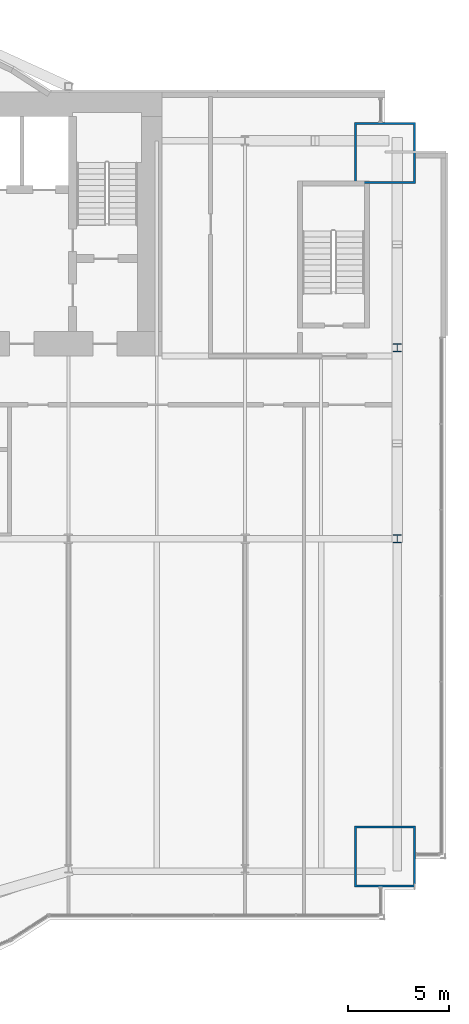
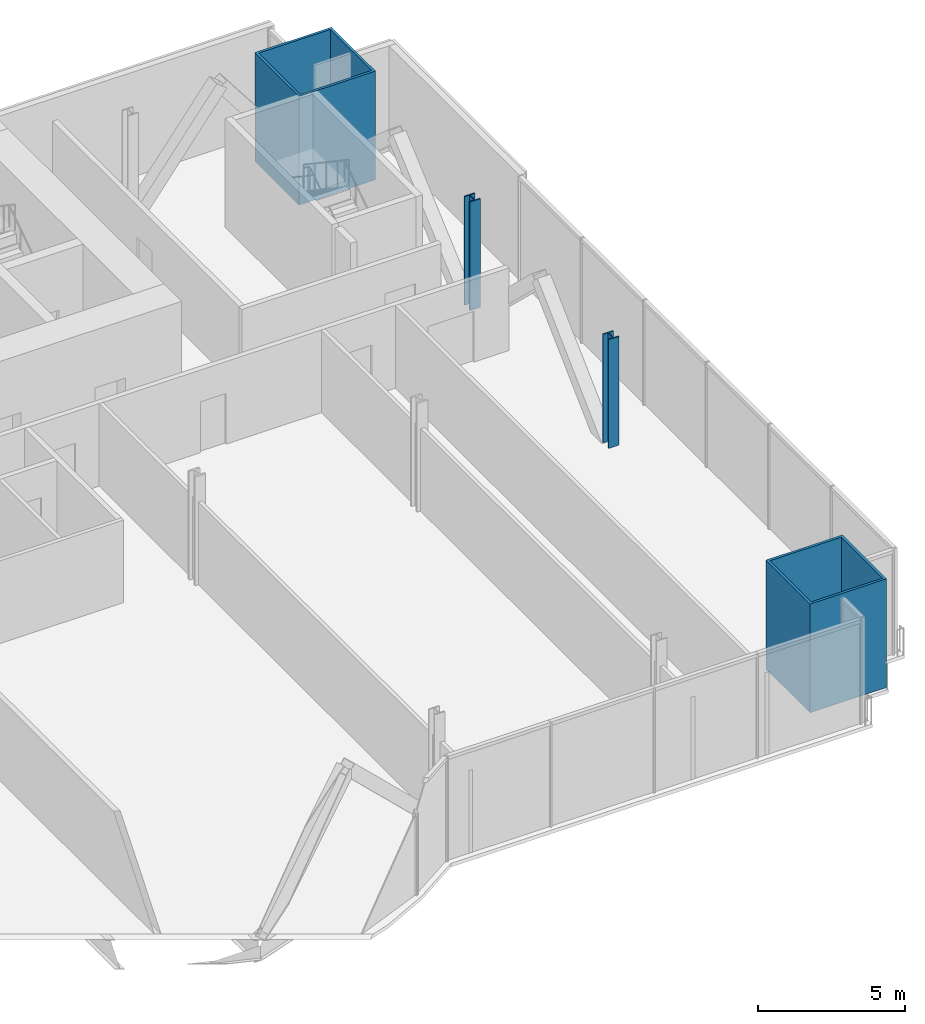
# One storey, part 3 of 21: 4 columns.
"""IFC4 building model written with IfcOpenShell, lengths in metres."""

from ifc_helpers import new_model, si_unit, direction, frame, origin, origin_2d, place, context, subcontext, project, spatial, hollow_rectangle, i_section, extrude, material, material_profile, profile_set, type_object, element, save


model = new_model("IFC4")

# Units and contexts
model_context = context("Model", 3, precision=1e-05, world=origin(), true_north=direction((0.0, 1.0)))
body_context = subcontext(model_context, "Body", "Model", "MODEL_VIEW")
ifc_project = project(units=[si_unit("LENGTHUNIT", "METRE"), si_unit("AREAUNIT", "SQUARE_METRE"), si_unit("VOLUMEUNIT", "CUBIC_METRE"), si_unit("PLANEANGLEUNIT", "RADIAN"), si_unit("MASSUNIT", "GRAM", prefix="KILO")], contexts=[model_context])

# Site, building, storey
site_placement = place(None, origin())
site = spatial("IfcSite", under=ifc_project, at=site_placement, CompositionType="ELEMENT")
building_placement = place(site_placement, origin())
building = spatial("IfcBuilding", under=site, at=building_placement, Name="Bicima Exchange Tower", CompositionType="ELEMENT")
storey_placement = place(building_placement, frame((0.0, 0.0, 57.5)))
storey = spatial("IfcBuildingStorey", under=building, at=storey_placement, Name="L11", CompositionType="ELEMENT", Elevation=57.5)

# Columns
ifc_material_1 = material(Name="Steel ASTM A572 Gr 50", Category="steel")
ifc_material_profile_1 = material_profile(ifc_material_1, hollow_rectangle(XDim=3.0, YDim=3.0, WallThickness=0.10009765625, at=origin_2d()))
ifc_profile_set_1 = profile_set([ifc_material_profile_1], Name="Steel ASTM A572 Gr 50")
column_type_1 = type_object("IfcColumnType", Name="Mega column BOX 3000x3000x100", PredefinedType="COLUMN", material=ifc_profile_set_1)
for number, where, z_axis, x_axis, name in (
    (1, (33.0, -37.657958984375, 0.0), (0.0, 0.0, 1.0), (1.0, 0.0, 0.0), "Mega column mega+33.0f"),
    (2, (33.0, -3.0, 0.0), (0.0, 0.0, 1.0), (1.0, 0.0, 0.0), "Mega column mega+33.0r"),
):
    element("IfcColumn", number, at=place(storey_placement, frame(where, z_axis=z_axis, x_axis=x_axis)), inside=storey, type_object=column_type_1, Name=name, PredefinedType="COLUMN", context=body_context, shape_type="SweptSolid", body=[
        extrude(hollow_rectangle(XDim=3.0, YDim=3.0, WallThickness=0.10009765625, at=origin_2d()), origin(), (0.0, 0.0, 1.0), 4.5),
    ])
ifc_material_2 = material(Name="Steel ASTM A992 Gr 50", Category="steel")
ifc_material_profile_2 = material_profile(ifc_material_2, i_section(OverallWidth=0.406494140625, OverallDepth=0.41650390625, WebThickness=0.030029296875, FlangeThickness=0.048095703125, at=origin_2d()))
ifc_profile_set_2 = profile_set([ifc_material_profile_2], Name="Steel ASTM A992 Gr 50")
column_type_2 = type_object("IfcColumnType", Name="Perimeter column W14x257", PredefinedType="COLUMN", material=ifc_profile_set_2)
for number, where, z_axis, x_axis, name in (
    (3, (33.60009765625, -12.60009765625, 0.0), (0.0, 0.0, 1.0), (1.0, 0.0, 0.0), "End column end+33.6e"),
    (4, (33.60009765625, -22.0, 0.0), (0.0, 0.0, 1.0), (1.0, 0.0, 0.0), "End column end+33.6e"),
):
    element("IfcColumn", number, at=place(storey_placement, frame(where, z_axis=z_axis, x_axis=x_axis)), inside=storey, type_object=column_type_2, Name=name, PredefinedType="COLUMN", context=body_context, shape_type="SweptSolid", body=[
        extrude(i_section(OverallWidth=0.406494140625, OverallDepth=0.41650390625, WebThickness=0.030029296875, FlangeThickness=0.048095703125, at=origin_2d()), origin(), (0.0, 0.0, 1.0), 4.5),
    ])

save(model, "model.ifc")
